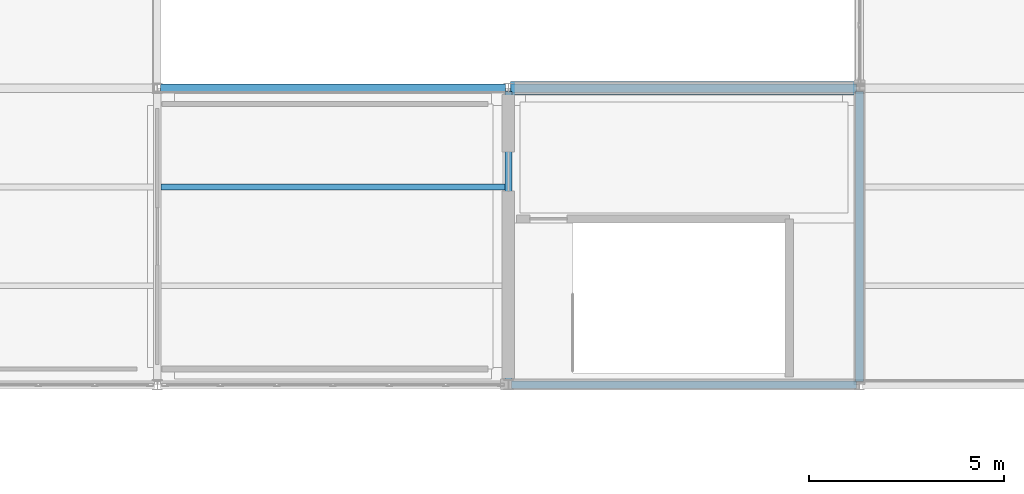
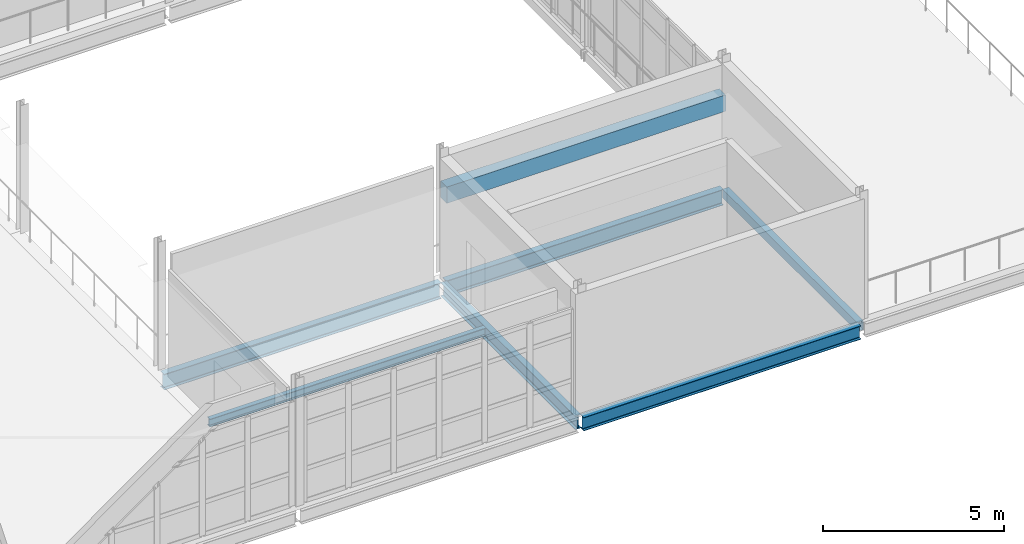
# One storey, part 18 of 48: 7 beams.
"""IFC4 building model written with IfcOpenShell, lengths in metres."""

from ifc_helpers import new_model, si_unit, direction, frame, origin, origin_2d, place, context, subcontext, project, spatial, rectangle, hollow_rectangle, i_section, extrude, material, material_profile, profile_set, type_object, element, save


model = new_model("IFC4")

# Units and contexts
model_context = context("Model", 3, precision=1e-05, world=origin(), true_north=direction((0.0, 1.0)))
body_context = subcontext(model_context, "Body", "Model", "MODEL_VIEW")
ifc_project = project(units=[si_unit("LENGTHUNIT", "METRE"), si_unit("AREAUNIT", "SQUARE_METRE"), si_unit("VOLUMEUNIT", "CUBIC_METRE"), si_unit("PLANEANGLEUNIT", "RADIAN"), si_unit("MASSUNIT", "GRAM", prefix="KILO")], contexts=[model_context])

# Site, building, storey
site_placement = place(None, origin())
site = spatial("IfcSite", under=ifc_project, at=site_placement, CompositionType="ELEMENT")
building_placement = place(site_placement, origin())
building = spatial("IfcBuilding", under=site, at=building_placement, Name="Caisbarro Railhouse Central Library", CompositionType="ELEMENT")
storey_placement = place(building_placement, frame((0.0, 0.0, 18.0)))
storey = spatial("IfcBuildingStorey", under=building, at=storey_placement, Name="L04", CompositionType="ELEMENT", Elevation=18.0)

# Beams
ifc_material_1 = material(Name="Steel ASTM A572 Grade 50", Category="steel")
ifc_material_profile_1 = material_profile(ifc_material_1, i_section(OverallWidth=0.208984375, OverallDepth=0.532958984375, WebThickness=0.01025390625, FlangeThickness=0.015625, FilletRadius=0.02001953125, at=origin_2d()), Name="W530X92.0")
ifc_profile_set_1 = profile_set([ifc_material_profile_1], Name="Steel ASTM A572 Grade 50")
beam_type_1 = type_object("IfcBeamType", Name="BM-G06", PredefinedType="BEAM", material=ifc_profile_set_1)
for number, where, z_axis, x_axis, name in (
    (1, (126.080078125, 76.0, -0.486572265625), (1.0, 0.0, 0.0), (0.0, 1.0, 0.0), "G06 beam L04 #2079"),
    (2, (135.080078125, 76.0, -0.486572265625), (1.0, 0.0, 0.0), (0.0, 1.0, 0.0), "G06 beam L04 #2080"),
):
    element("IfcBeam", number, at=place(storey_placement, frame(where, z_axis=z_axis, x_axis=x_axis)), inside=storey, type_object=beam_type_1, Name=name, PredefinedType="BEAM", context=body_context, shape_type="SweptSolid", body=[
        extrude(i_section(OverallWidth=0.208984375, OverallDepth=0.532958984375, WebThickness=0.01025390625, FlangeThickness=0.015625, FilletRadius=0.02001953125, at=origin_2d()), origin(), (0.0, 0.0, 1.0), 8.83984375),
    ])
ifc_material_profile_2 = material_profile(ifc_material_1, i_section(OverallWidth=0.18994140625, OverallDepth=0.45703125, WebThickness=0.009033203125, FlangeThickness=0.014404296875, FilletRadius=0.01806640625, at=origin_2d()), Name="W460X74.0")
ifc_profile_set_2 = profile_set([ifc_material_profile_2], Name="Steel ASTM A572 Grade 50")
beam_type_2 = type_object("IfcBeamType", Name="BM-G08", PredefinedType="BEAM", material=ifc_profile_set_2)
beam_1_placement = place(storey_placement, frame((135.0, 68.47998046875, -0.448486328125), z_axis=(0.0, 1.0, 0.0), x_axis=(-1.0, 0.0, 0.0)))
element("IfcBeam", 3, at=beam_1_placement, inside=storey, type_object=beam_type_2, Name="G08 beam L04 #2106", PredefinedType="BEAM", context=body_context, shape_type="SweptSolid", body=[
    extrude(i_section(OverallWidth=0.18994140625, OverallDepth=0.45703125, WebThickness=0.009033203125, FlangeThickness=0.014404296875, FilletRadius=0.01806640625, at=origin_2d()), origin(), (0.0, 0.0, 1.0), 7.43994140625),
])
ifc_material_profile_3 = material_profile(ifc_material_1, i_section(OverallWidth=0.14794921875, OverallDepth=0.26611328125, WebThickness=0.007568359375, FlangeThickness=0.012939453125, FilletRadius=0.010009765625, at=origin_2d()), Name="W250X44.8")
ifc_profile_set_3 = profile_set([ifc_material_profile_3], Name="Steel ASTM A572 Grade 50")
beam_type_3 = type_object("IfcBeamType", Name="BM-J04", PredefinedType="JOIST", material=ifc_profile_set_3)
beam_2_placement = place(storey_placement, frame((126.094970703125, 73.466796875, -0.35302734375), z_axis=(1.0, 0.0, 0.0), x_axis=(0.0, 1.0, 0.0)))
element("IfcBeam", 4, at=beam_2_placement, inside=storey, type_object=beam_type_3, Name="J04 beam L04 #2129", PredefinedType="JOIST", context=body_context, shape_type="SweptSolid", body=[
    extrude(i_section(OverallWidth=0.14794921875, OverallDepth=0.26611328125, WebThickness=0.007568359375, FlangeThickness=0.012939453125, FilletRadius=0.010009765625, at=origin_2d()), origin(), (0.0, 0.0, 1.0), 8.81005859375),
])
ifc_material_2 = material(Name="Concrete C40", Category="concrete")
ifc_material_profile_4 = material_profile(ifc_material_2, rectangle(XDim=0.35009765625, YDim=0.550048828125, at=origin_2d()), Name="RC-LIN-350X550")
ifc_profile_set_4 = profile_set([ifc_material_profile_4], Name="Concrete C40")
beam_type_4 = type_object("IfcBeamType", Name="BM-LN04", PredefinedType="LINTEL", material=ifc_profile_set_4)
beam_3_placement = place(storey_placement, frame((135.050048828125, 76.0, 2.72509765625), z_axis=(1.0, 0.0, 0.0), x_axis=(0.0, 1.0, 0.0)))
element("IfcBeam", 5, at=beam_3_placement, inside=storey, type_object=beam_type_4, Name="LN04 RC core coupling lintel K7 L04", PredefinedType="LINTEL", context=body_context, shape_type="SweptSolid", body=[
    extrude(rectangle(XDim=0.35009765625, YDim=0.550048828125, at=origin_2d()), origin(), (0.0, 0.0, 1.0), 8.89990234375),
])
ifc_material_profile_5 = material_profile(ifc_material_1, i_section(OverallWidth=0.18994140625, OverallDepth=0.45703125, WebThickness=0.009033203125, FlangeThickness=0.014404296875, FilletRadius=0.01806640625, at=origin_2d()), Name="W460X74.0")
ifc_profile_set_5 = profile_set([ifc_material_profile_5], Name="Steel ASTM A572 Grade 50")
beam_type_5 = type_object("IfcBeamType", Name="BM-SP01", PredefinedType="SPANDREL", material=ifc_profile_set_5)
beam_4_placement = place(storey_placement, frame((135.080078125, 68.39990234375, -0.448486328125), z_axis=(1.0, 0.0, 0.0), x_axis=(0.0, 1.0, 0.0)))
element("IfcBeam", 6, at=beam_4_placement, inside=storey, type_object=beam_type_5, Name="SP01 beam L04 #2077", PredefinedType="SPANDREL", context=body_context, shape_type="SweptSolid", body=[
    extrude(i_section(OverallWidth=0.18994140625, OverallDepth=0.45703125, WebThickness=0.009033203125, FlangeThickness=0.014404296875, FilletRadius=0.01806640625, at=origin_2d()), origin(), (0.0, 0.0, 1.0), 8.83984375),
])
ifc_material_profile_6 = material_profile(ifc_material_1, hollow_rectangle(XDim=0.199951171875, YDim=0.300048828125, WallThickness=0.012451171875, at=origin_2d()), Name="HSS300X200X12.5")
ifc_profile_set_6 = profile_set([ifc_material_profile_6], Name="Steel ASTM A572 Grade 50")
beam_type_6 = type_object("IfcBeamType", Name="BM-SP02", PredefinedType="SPANDREL", material=ifc_profile_set_6)
beam_5_placement = place(storey_placement, frame((144.0, 68.47998046875, -0.3701171875), z_axis=(0.0, 1.0, 0.0), x_axis=(-1.0, 0.0, 0.0)))
element("IfcBeam", 7, at=beam_5_placement, inside=storey, type_object=beam_type_6, Name="SP02 beam L04 #2110", PredefinedType="SPANDREL", context=body_context, shape_type="SweptSolid", body=[
    extrude(hollow_rectangle(XDim=0.199951171875, YDim=0.300048828125, WallThickness=0.012451171875, at=origin_2d()), origin(), (0.0, 0.0, 1.0), 7.43994140625),
])

save(model, "model.ifc")
